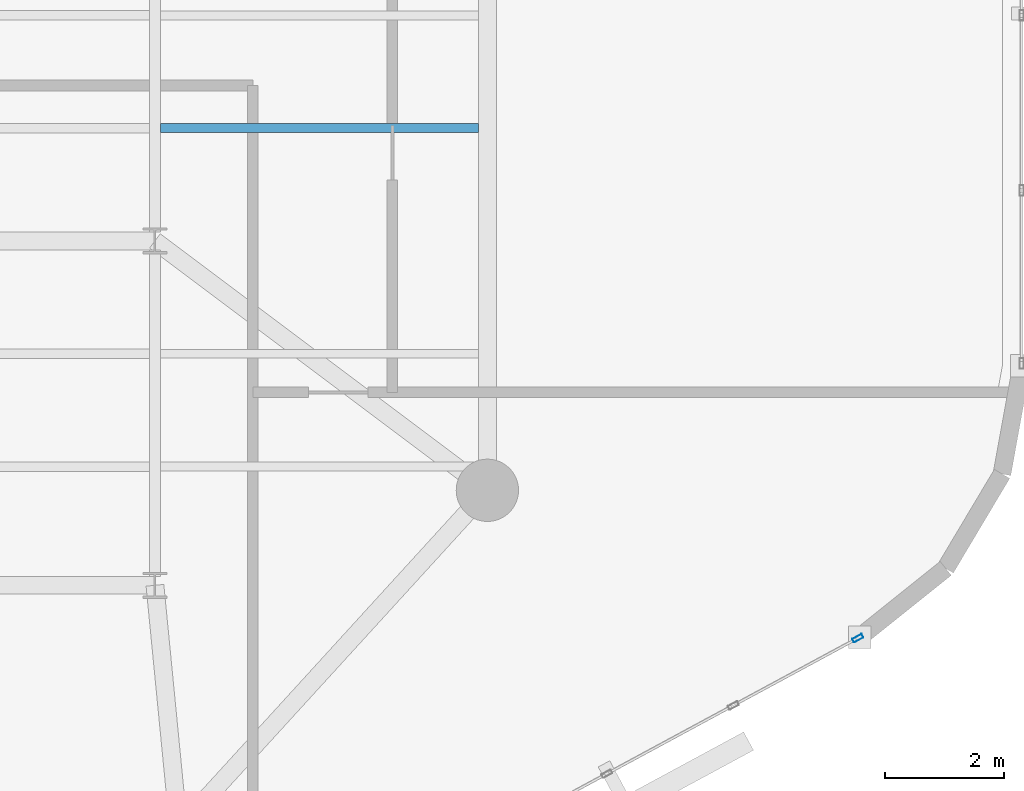
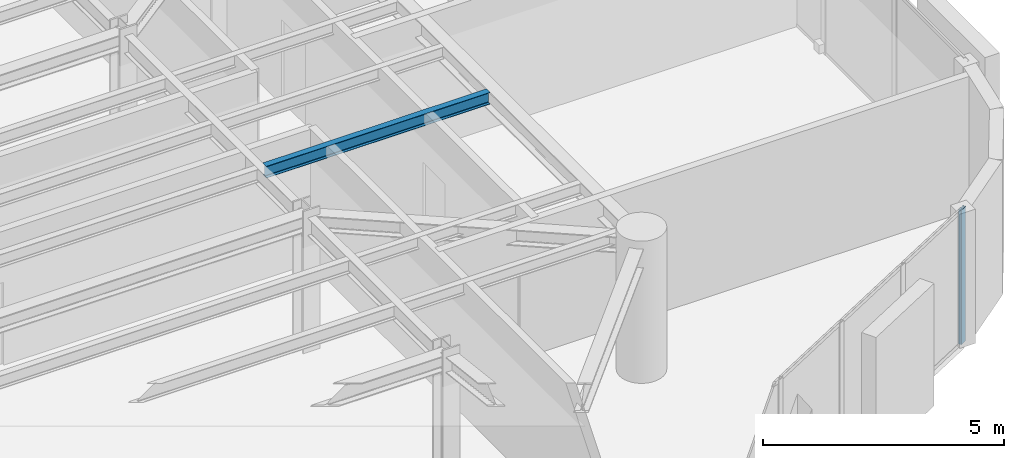
# One storey, part 3 of 13: 1 beam, 1 member, 1 element without a shape of its own.
"""IFC4 building model written with IfcOpenShell, lengths in metres."""

from ifc_helpers import new_model, si_unit, direction, frame, origin, origin_2d, place, context, subcontext, project, spatial, hollow_rectangle, i_section, extrude, material, layer, layer_set, material_profile, profile_set, type_object, element, aggregate, save


model = new_model("IFC4")

# Units and contexts
model_context = context("Model", 3, precision=1e-05, world=origin(), true_north=direction((0.0, 1.0)))
body_context = subcontext(model_context, "Body", "Model", "MODEL_VIEW")
ifc_project = project(units=[si_unit("LENGTHUNIT", "METRE"), si_unit("AREAUNIT", "SQUARE_METRE"), si_unit("VOLUMEUNIT", "CUBIC_METRE"), si_unit("PLANEANGLEUNIT", "RADIAN"), si_unit("MASSUNIT", "GRAM", prefix="KILO")], contexts=[model_context])

# Site, building, storey
site_placement = place(None, origin())
site = spatial("IfcSite", under=ifc_project, at=site_placement, CompositionType="ELEMENT")
building_placement = place(site_placement, origin())
building = spatial("IfcBuilding", under=site, at=building_placement, Name="An Khanh Terracotta Commons", CompositionType="ELEMENT")
storey_placement = place(building_placement, frame((0.0, 0.0, 226.5)))
storey = spatial("IfcBuildingStorey", under=building, at=storey_placement, Name="L59", CompositionType="ELEMENT", Elevation=226.5)

# Beam
ifc_material_1 = material(Name="Steel S355J2", Category="steel")
ifc_material_profile_1 = material_profile(ifc_material_1, i_section(OverallWidth=0.14990234375, OverallDepth=0.300048828125, WebThickness=0.007080078125, FlangeThickness=0.0107421875, FilletRadius=0.014892578125, at=origin_2d()), Name="IPE300")
ifc_profile_set_1 = profile_set([ifc_material_profile_1], Name="Steel S355J2")
beam_type = type_object("IfcBeamType", Name="BM-IPE300", PredefinedType="JOIST", material=ifc_profile_set_1)
beam_placement = place(storey_placement, frame((54.094970703125, 22.10009765625, 3.25), z_axis=(1.0, 0.0, 0.0), x_axis=(0.0, 1.0, 0.0)))
element("IfcBeam", 1, at=beam_placement, inside=storey, type_object=beam_type, Name="L59 Riverfront Composite Joist 3", PredefinedType="JOIST", context=body_context, shape_type="SweptSolid", body=[
    extrude(i_section(OverallWidth=0.14990234375, OverallDepth=0.300048828125, WebThickness=0.007080078125, FlangeThickness=0.0107421875, FilletRadius=0.014892578125, at=origin_2d()), origin(), (0.0, 0.0, 1.0), 5.35498046875),
])

# Curtain wall, member
ifc_material_2 = material(Name="Anodised Aluminium 6063-T6", Category="aluminium")
ifc_layer = layer(ifc_material_2, 0.2099609375, Name="Anodised Aluminium 6063-T6")
ifc_layer_set = layer_set([ifc_layer], Name="Anodised Aluminium 6063-T6")
curtain_wall_type = type_object("IfcCurtainWallType", Name="CW-SYS-03", PredefinedType="USERDEFINED", material=ifc_layer_set)
curtain_wall_placement = place(storey_placement, origin())
curtain_wall = element("IfcCurtainWall", 2, at=curtain_wall_placement, inside=storey, type_object=curtain_wall_type, Name="L59 CW-03 Unitised Curtain Wall CW-L59-08", ObjectType="UNITISED CURTAIN WALL", PredefinedType="USERDEFINED")
ifc_material_profile_2 = material_profile(ifc_material_2, hollow_rectangle(XDim=0.070068359375, YDim=0.179931640625, WallThickness=0.00390625, InnerFilletRadius=0.00390625, OuterFilletRadius=0.008056640625, at=origin_2d()), Name="RHS180x70x4")
ifc_profile_set_2 = profile_set([ifc_material_profile_2], Name="Anodised Aluminium 6063-T6")
member_type = type_object("IfcMemberType", Name="CWM-RHS180x70x4", PredefinedType="MULLION", material=ifc_profile_set_2)
member_placement = place(storey_placement, frame((65.84130859375, 13.50927734375, 0.0), z_axis=(0.0, 0.0, 1.0), x_axis=(-0.47538088298, 0.879780095306, 0.0)))
member = element("IfcMember", 3, at=member_placement, type_object=member_type, Name="CW-03 mullion 5", PredefinedType="MULLION", context=body_context, shape_type="SweptSolid", body=[
    extrude(hollow_rectangle(XDim=0.070068359375, YDim=0.179931640625, WallThickness=0.00390625, InnerFilletRadius=0.00390625, OuterFilletRadius=0.008056640625, at=origin_2d()), origin(), (0.0, 0.0, 1.0), 3.39990234375),
])
aggregate(curtain_wall, [member])

save(model, "model.ifc")
